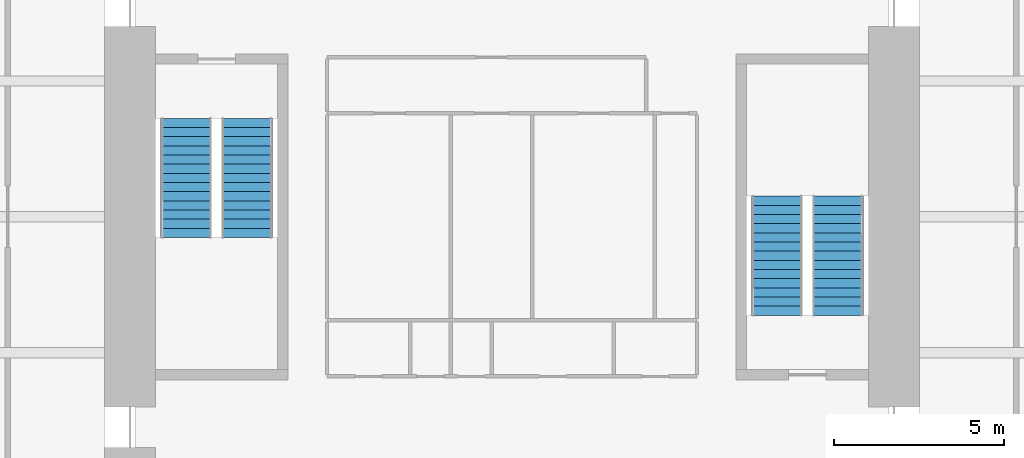
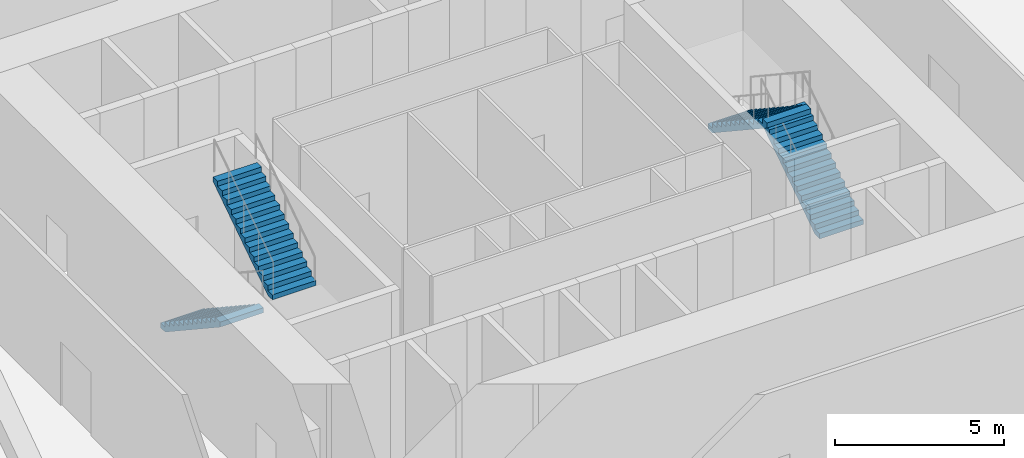
# One storey, part 5 of 6: 4 stair flights, 2 elements without a shape of their own.
"""IFC4 building model written with IfcOpenShell, lengths in metres."""

from ifc_helpers import new_model, si_unit, direction, frame, origin, place, context, subcontext, project, spatial, polyline, outline, extrude, material, type_object, element, aggregate, save


model = new_model("IFC4")

# Units and contexts
model_context = context("Model", 3, precision=1e-05, world=origin(), true_north=direction((0.0, 1.0)))
body_context = subcontext(model_context, "Body", "Model", "MODEL_VIEW")
ifc_project = project(units=[si_unit("LENGTHUNIT", "METRE"), si_unit("AREAUNIT", "SQUARE_METRE"), si_unit("VOLUMEUNIT", "CUBIC_METRE"), si_unit("PLANEANGLEUNIT", "RADIAN"), si_unit("MASSUNIT", "GRAM", prefix="KILO")], contexts=[model_context])

# Site, building, storey
site_placement = place(None, origin())
site = spatial("IfcSite", under=ifc_project, at=site_placement, CompositionType="ELEMENT")
building_placement = place(site_placement, origin())
building = spatial("IfcBuilding", under=site, at=building_placement, Name="Peilmerk Tower", CompositionType="ELEMENT")
storey_placement = place(building_placement, frame((0.0, 0.0, 297.800048828125)))
storey = spatial("IfcBuildingStorey", under=building, at=storey_placement, Name="L67", CompositionType="ELEMENT", Elevation=297.800048828125)

# Stair, stair flights
ifc_material = material(Name="Precast concrete C45/55", Category="concrete")
stair_type_1 = type_object("IfcStairType", Name="ST1 28 risers of 178.6", PredefinedType="HALF_TURN_STAIR", material=ifc_material)
stair_1_placement = place(storey_placement, origin())
stair_1 = element("IfcStair", 1, at=stair_1_placement, inside=storey, type_object=stair_type_1, Name="Stair 1 L67 to L68", PredefinedType="HALF_TURN_STAIR")
stair_flight_type = type_object("IfcStairFlightType", Name="SF14 flight, 14 risers of 178.6", PredefinedType="STRAIGHT", material=ifc_material)
stair_flight_1_placement = place(storey_placement, frame((-9.60009765625, 2.89990234375, 0.0), z_axis=(0.0, 0.0, 1.0), x_axis=(0.0, -1.0, 0.0)))
stair_flight_1 = element("IfcStairFlight", 2, at=stair_flight_1_placement, type_object=stair_flight_type, Name="ST1 flight 1", NumberOfRisers=14, NumberOfTreads=13, PredefinedType="STRAIGHT", RiserHeight=0.178571429, TreadLength=0.27, context=body_context, shape_type="SweptSolid", body=[
    extrude(outline(polyline([(0.0, 0.0), (0.0, 0.178466796875), (0.27001953125, 0.178466796875), (0.27001953125, 0.357177734375), (0.5400390625, 0.357177734375), (0.5400390625, 0.53564453125), (0.81005859375, 0.53564453125), (0.81005859375, 0.71435546875), (1.080078125, 0.71435546875), (1.080078125, 0.892822265625), (1.35009765625, 0.892822265625), (1.35009765625, 1.071533203125), (1.6201171875, 1.071533203125), (1.6201171875, 1.25), (1.889892578125, 1.25), (1.889892578125, 1.428466796875), (2.159912109375, 1.428466796875), (2.159912109375, 1.607177734375), (2.429931640625, 1.607177734375), (2.429931640625, 1.78564453125), (2.699951171875, 1.78564453125), (2.699951171875, 1.96435546875), (2.969970703125, 1.96435546875), (2.969970703125, 2.142822265625), (3.239990234375, 2.142822265625), (3.239990234375, 2.321533203125), (3.510009765625, 2.321533203125), (3.510009765625, 2.5), (3.510009765625, 2.1416015625), (0.271728515625, 0.0), (0.0, 0.0)])), frame((0.0, 0.75, 0.0), z_axis=(0.0, -1.0, 0.0), x_axis=(1.0, 0.0, 0.0)), (0.0, 0.0, 1.0), 1.5),
])
stair_flight_2_placement = place(storey_placement, frame((-7.800048828125, -0.610107421875, 2.5), z_axis=(0.0, 0.0, 1.0), x_axis=(0.0, 1.0, 0.0)))
stair_flight_2 = element("IfcStairFlight", 3, at=stair_flight_2_placement, type_object=stair_flight_type, Name="ST1 flight 2", NumberOfRisers=14, NumberOfTreads=13, PredefinedType="STRAIGHT", RiserHeight=0.178571429, TreadLength=0.27, context=body_context, shape_type="SweptSolid", body=[
    extrude(outline(polyline([(0.0, 0.0), (0.0, 0.178466796875), (0.27001953125, 0.178466796875), (0.27001953125, 0.357177734375), (0.5400390625, 0.357177734375), (0.5400390625, 0.53564453125), (0.81005859375, 0.53564453125), (0.81005859375, 0.71435546875), (1.080078125, 0.71435546875), (1.080078125, 0.892822265625), (1.35009765625, 0.892822265625), (1.35009765625, 1.071533203125), (1.6201171875, 1.071533203125), (1.6201171875, 1.25), (1.889892578125, 1.25), (1.889892578125, 1.428466796875), (2.159912109375, 1.428466796875), (2.159912109375, 1.607177734375), (2.429931640625, 1.607177734375), (2.429931640625, 1.78564453125), (2.699951171875, 1.78564453125), (2.699951171875, 1.96435546875), (2.969970703125, 1.96435546875), (2.969970703125, 2.142822265625), (3.239990234375, 2.142822265625), (3.239990234375, 2.321533203125), (3.510009765625, 2.321533203125), (3.510009765625, 2.5), (3.510009765625, 2.1416015625), (0.271728515625, 0.0), (0.0, 0.0)])), frame((0.0, 0.75, 0.0), z_axis=(0.0, -1.0, 0.0), x_axis=(1.0, 0.0, 0.0)), (0.0, 0.0, 1.0), 1.5),
])
aggregate(stair_1, [stair_flight_1, stair_flight_2])

stair_type_2 = type_object("IfcStairType", Name="ST2 28 risers of 178.6", PredefinedType="HALF_TURN_STAIR", material=ifc_material)
stair_2_placement = place(storey_placement, origin())
stair_2 = element("IfcStair", 4, at=stair_2_placement, inside=storey, type_object=stair_type_2, Name="Stair 2 L67 to L68", PredefinedType="HALF_TURN_STAIR")
stair_flight_3_placement = place(storey_placement, frame((9.60009765625, -2.89990234375, 0.0), z_axis=(0.0, 0.0, 1.0), x_axis=(0.0, 1.0, 0.0)))
stair_flight_3 = element("IfcStairFlight", 5, at=stair_flight_3_placement, type_object=stair_flight_type, Name="ST2 flight 1", NumberOfRisers=14, NumberOfTreads=13, PredefinedType="STRAIGHT", RiserHeight=0.178571429, TreadLength=0.27, context=body_context, shape_type="SweptSolid", body=[
    extrude(outline(polyline([(0.0, 0.0), (0.0, 0.178466796875), (0.27001953125, 0.178466796875), (0.27001953125, 0.357177734375), (0.5400390625, 0.357177734375), (0.5400390625, 0.53564453125), (0.81005859375, 0.53564453125), (0.81005859375, 0.71435546875), (1.080078125, 0.71435546875), (1.080078125, 0.892822265625), (1.35009765625, 0.892822265625), (1.35009765625, 1.071533203125), (1.6201171875, 1.071533203125), (1.6201171875, 1.25), (1.889892578125, 1.25), (1.889892578125, 1.428466796875), (2.159912109375, 1.428466796875), (2.159912109375, 1.607177734375), (2.429931640625, 1.607177734375), (2.429931640625, 1.78564453125), (2.699951171875, 1.78564453125), (2.699951171875, 1.96435546875), (2.969970703125, 1.96435546875), (2.969970703125, 2.142822265625), (3.239990234375, 2.142822265625), (3.239990234375, 2.321533203125), (3.510009765625, 2.321533203125), (3.510009765625, 2.5), (3.510009765625, 2.1416015625), (0.271728515625, 0.0), (0.0, 0.0)])), frame((0.0, 0.75, 0.0), z_axis=(0.0, -1.0, 0.0), x_axis=(1.0, 0.0, 0.0)), (0.0, 0.0, 1.0), 1.5),
])
stair_flight_4_placement = place(storey_placement, frame((7.800048828125, 0.610107421875, 2.5), z_axis=(0.0, 0.0, 1.0), x_axis=(0.0, -1.0, 0.0)))
stair_flight_4 = element("IfcStairFlight", 6, at=stair_flight_4_placement, type_object=stair_flight_type, Name="ST2 flight 2", NumberOfRisers=14, NumberOfTreads=13, PredefinedType="STRAIGHT", RiserHeight=0.178571429, TreadLength=0.27, context=body_context, shape_type="SweptSolid", body=[
    extrude(outline(polyline([(0.0, 0.0), (0.0, 0.178466796875), (0.27001953125, 0.178466796875), (0.27001953125, 0.357177734375), (0.5400390625, 0.357177734375), (0.5400390625, 0.53564453125), (0.81005859375, 0.53564453125), (0.81005859375, 0.71435546875), (1.080078125, 0.71435546875), (1.080078125, 0.892822265625), (1.35009765625, 0.892822265625), (1.35009765625, 1.071533203125), (1.6201171875, 1.071533203125), (1.6201171875, 1.25), (1.889892578125, 1.25), (1.889892578125, 1.428466796875), (2.159912109375, 1.428466796875), (2.159912109375, 1.607177734375), (2.429931640625, 1.607177734375), (2.429931640625, 1.78564453125), (2.699951171875, 1.78564453125), (2.699951171875, 1.96435546875), (2.969970703125, 1.96435546875), (2.969970703125, 2.142822265625), (3.239990234375, 2.142822265625), (3.239990234375, 2.321533203125), (3.510009765625, 2.321533203125), (3.510009765625, 2.5), (3.510009765625, 2.1416015625), (0.271728515625, 0.0), (0.0, 0.0)])), frame((0.0, 0.75, 0.0), z_axis=(0.0, -1.0, 0.0), x_axis=(1.0, 0.0, 0.0)), (0.0, 0.0, 1.0), 1.5),
])
aggregate(stair_2, [stair_flight_3, stair_flight_4])

save(model, "model.ifc")
